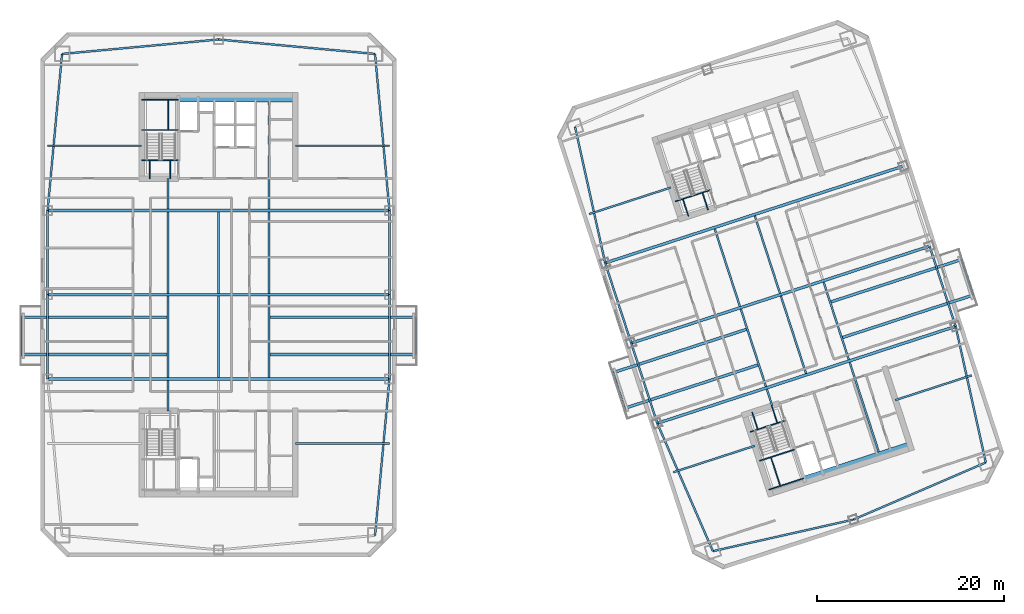
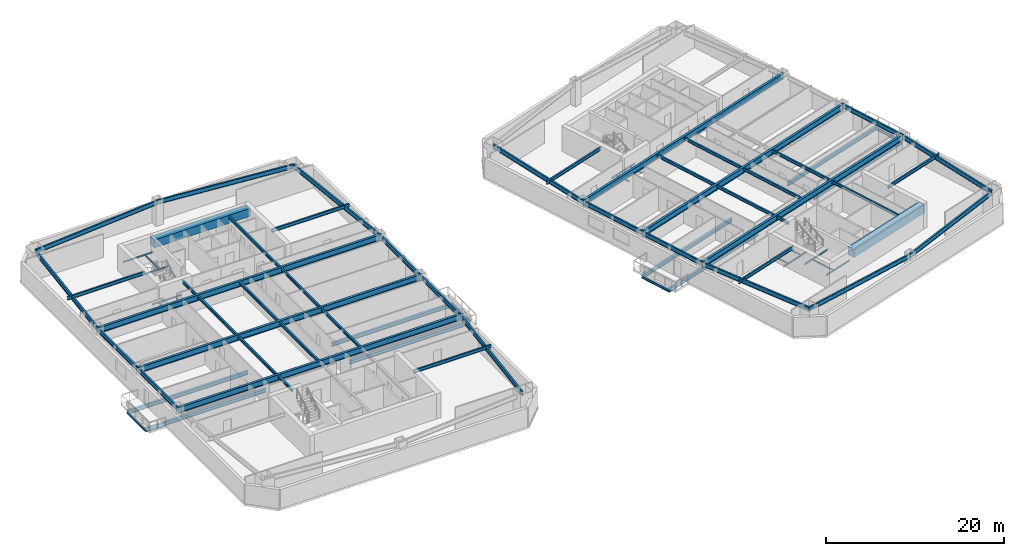
# One storey, part 2 of 14: 74 beams.
"""IFC4 building model written with IfcOpenShell, lengths in metres."""

from ifc_helpers import new_model, si_unit, direction, frame, origin, origin_2d, place, context, subcontext, project, spatial, rectangle, i_section, extrude, material, material_profile, profile_set, type_object, element, save


model = new_model("IFC4")

# Units and contexts
model_context = context("Model", 3, precision=1e-05, world=origin(), true_north=direction((0.0, 1.0)))
body_context = subcontext(model_context, "Body", "Model", "MODEL_VIEW")
ifc_project = project(units=[si_unit("LENGTHUNIT", "METRE"), si_unit("AREAUNIT", "SQUARE_METRE"), si_unit("VOLUMEUNIT", "CUBIC_METRE"), si_unit("PLANEANGLEUNIT", "RADIAN"), si_unit("MASSUNIT", "GRAM", prefix="KILO")], contexts=[model_context])

# Site, building, storey
site_placement = place(None, origin())
site = spatial("IfcSite", under=ifc_project, at=site_placement, CompositionType="ELEMENT")
building_placement = place(site_placement, origin())
building = spatial("IfcBuilding", under=site, at=building_placement, Name="Qiaolan Cultural Towers", CompositionType="ELEMENT")
storey_placement = place(building_placement, frame((0.0, 0.0, 103.5)))
storey = spatial("IfcBuildingStorey", under=building, at=storey_placement, Name="L26", CompositionType="ELEMENT", Elevation=103.5)

# Beams
ifc_material_1 = material(Name="Steel Q355B", Category="steel")
ifc_material_profile_1 = material_profile(ifc_material_1, i_section(OverallWidth=0.300048828125, OverallDepth=0.488037109375, WebThickness=0.010986328125, FlangeThickness=0.01806640625, at=origin_2d()), Name="HM488x300x11x18")
ifc_profile_set_1 = profile_set([ifc_material_profile_1], Name="Steel Q355B")
beam_type_1 = type_object("IfcBeamType", Name="BM-HM488x300x11x18", PredefinedType="BEAM", material=ifc_profile_set_1)
for number, where, z_axis, x_axis, name in (
    (1, (24.60009765625, 27.60009765625, -0.52392578125), (-1.0, 0.0, 0.0), (0.0, -1.0, 0.0), "L26 T1 Tree Balcony Back-Spanned Bracket Beam"),
    (2, (24.60009765625, 31.60009765625, -0.52392578125), (-1.0, 0.0, 0.0), (0.0, -1.0, 0.0), "L26 T1 Tree Balcony Back-Spanned Bracket Beam"),
    (3, (35.39990234375, 27.60009765625, -0.52392578125), (1.0, 0.0, 0.0), (0.0, 1.0, 0.0), "L26 T1 Tree Balcony Back-Spanned Bracket Beam"),
    (4, (35.39990234375, 31.60009765625, -0.52392578125), (1.0, 0.0, 0.0), (0.0, 1.0, 0.0), "L26 T1 Tree Balcony Back-Spanned Bracket Beam"),
):
    element("IfcBeam", number, at=place(storey_placement, frame(where, z_axis=z_axis, x_axis=x_axis)), inside=storey, type_object=beam_type_1, Name=name, PredefinedType="BEAM", context=body_context, shape_type="SweptSolid", body=[
        extrude(i_section(OverallWidth=0.300048828125, OverallDepth=0.488037109375, WebThickness=0.010986328125, FlangeThickness=0.01806640625, at=origin_2d()), origin(), (0.0, 0.0, 1.0), 15.650146484375),
    ])
for number, where, z_axis, x_axis, name in (
    (5, (87.697998046875, 26.522705078125, -0.52392578125), (-0.951058384903, -0.309011243331, 0.0), (0.309011243331, -0.951058384903, 0.0), "L26 T2 Tree Balcony Back-Spanned Bracket Beam"),
    (6, (86.4619140625, 30.326904296875, -0.52392578125), (-0.951058384903, -0.309011243331, 0.0), (0.309011243331, -0.951058384903, 0.0), "L26 T2 Tree Balcony Back-Spanned Bracket Beam"),
):
    element("IfcBeam", number, at=place(storey_placement, frame(where, z_axis=z_axis, x_axis=x_axis)), inside=storey, type_object=beam_type_1, Name=name, PredefinedType="BEAM", context=body_context, shape_type="SweptSolid", body=[
        extrude(i_section(OverallWidth=0.300048828125, OverallDepth=0.488037109375, WebThickness=0.010986328125, FlangeThickness=0.01806640625, at=origin_2d()), origin(), (0.0, 0.0, 1.0), 15.050048828125),
    ])
for number, where, z_axis, x_axis, name in (
    (7, (96.542724609375, 29.396484375, -0.52392578125), (0.951054379921, 0.309023569382, 0.0), (-0.309023569382, 0.951054379921, 0.0), "L26 T2 Tree Balcony Back-Spanned Bracket Beam"),
    (8, (95.306640625, 33.20068359375, -0.52392578125), (0.951054379921, 0.309023569382, 0.0), (-0.309023569382, 0.951054379921, 0.0), "L26 T2 Tree Balcony Back-Spanned Bracket Beam"),
):
    element("IfcBeam", number, at=place(storey_placement, frame(where, z_axis=z_axis, x_axis=x_axis)), inside=storey, type_object=beam_type_1, Name=name, PredefinedType="BEAM", context=body_context, shape_type="SweptSolid", body=[
        extrude(i_section(OverallWidth=0.300048828125, OverallDepth=0.488037109375, WebThickness=0.010986328125, FlangeThickness=0.01806640625, at=origin_2d()), origin(), (0.0, 0.0, 1.0), 14.75),
    ])
ifc_material_2 = material(Name="Steel Q355B", Category="steel")
ifc_material_profile_2 = material_profile(ifc_material_2, i_section(OverallWidth=0.300048828125, OverallDepth=0.800048828125, WebThickness=0.013916015625, FlangeThickness=0.02587890625, at=origin_2d()), Name="HN800x300x14x26")
ifc_profile_set_2 = profile_set([ifc_material_profile_2], Name="Steel Q355B")
beam_type_2 = type_object("IfcBeamType", Name="BM-HN800x300x14x26", PredefinedType="BEAM", material=ifc_profile_set_2)
for number, where, z_axis, x_axis, name in (
    (9, (11.75, 25.0, 2.7900390625), (1.0, 0.0, 0.0), (0.0, 1.0, 0.0), "L26 T1 Primary Transverse Girder V1"),
    (10, (11.75, 34.0, 2.7900390625), (1.0, 0.0, 0.0), (0.0, 1.0, 0.0), "L26 T1 Primary Transverse Girder V2"),
    (11, (11.75, 43.0, 2.7900390625), (1.0, 0.0, 0.0), (0.0, 1.0, 0.0), "L26 T1 Primary Transverse Girder V3"),
):
    element("IfcBeam", number, at=place(storey_placement, frame(where, z_axis=z_axis, x_axis=x_axis)), inside=storey, type_object=beam_type_2, Name=name, PredefinedType="BEAM", context=body_context, shape_type="SweptSolid", body=[
        extrude(i_section(OverallWidth=0.300048828125, OverallDepth=0.800048828125, WebThickness=0.013916015625, FlangeThickness=0.02587890625, at=origin_2d()), origin(), (0.0, 0.0, 1.0), 36.5),
    ])
for number, where, z_axis, x_axis, name in (
    (12, (76.85107421875, 20.264404296875, 2.7900390625), (0.951056559899, 0.309016860175, 0.0), (-0.309016860175, 0.951056559899, 0.0), "L26 T2 Primary Transverse Girder V1"),
    (13, (74.06982421875, 28.823974609375, 2.7900390625), (0.951056559899, 0.309016860175, 0.0), (-0.309016860175, 0.951056559899, 0.0), "L26 T2 Primary Transverse Girder V2"),
    (14, (71.28857421875, 37.383544921875, 2.7900390625), (0.951056559899, 0.309016860175, 0.0), (-0.309016860175, 0.951056559899, 0.0), "L26 T2 Primary Transverse Girder V3"),
):
    element("IfcBeam", number, at=place(storey_placement, frame(where, z_axis=z_axis, x_axis=x_axis)), inside=storey, type_object=beam_type_2, Name=name, PredefinedType="BEAM", context=body_context, shape_type="SweptSolid", body=[
        extrude(i_section(OverallWidth=0.300048828125, OverallDepth=0.800048828125, WebThickness=0.013916015625, FlangeThickness=0.02587890625, at=origin_2d()), origin(), (0.0, 0.0, 1.0), 33.5),
    ])
ifc_material_3 = material(Name="Steel Q355B", Category="steel")
ifc_material_profile_3 = material_profile(ifc_material_3, i_section(OverallWidth=0.175048828125, OverallDepth=0.35009765625, WebThickness=0.007080078125, FlangeThickness=0.010986328125, at=origin_2d()), Name="HN350x175x7x11")
ifc_profile_set_3 = profile_set([ifc_material_profile_3], Name="Steel Q355B")
beam_type_3 = type_object("IfcBeamType", Name="BM-JST-HN350x175x7x11", PredefinedType="JOIST", material=ifc_profile_set_3)
for number, where, z_axis, x_axis, name in (
    (15, (8.949951171875, 27.60009765625, -0.52392578125), (0.0, 1.0, 0.0), (-1.0, 0.0, 0.0), "L26 T1 Tree Balcony Outer Edge Beam"),
    (16, (51.050048828125, 27.60009765625, -0.52392578125), (0.0, 1.0, 0.0), (-1.0, 0.0, 0.0), "L26 T1 Tree Balcony Outer Edge Beam"),
    (17, (73.384521484375, 21.8720703125, -0.52392578125), (-0.309022586479, 0.951054699292, 0.0), (-0.951054699292, -0.309022586479, 0.0), "L26 T2 Tree Balcony Outer Edge Beam"),
    (18, (110.57080078125, 33.95458984375, -0.52392578125), (-0.309022586479, 0.951054699292, 0.0), (-0.951054699292, -0.309022586479, 0.0), "L26 T2 Tree Balcony Outer Edge Beam"),
):
    element("IfcBeam", number, at=place(storey_placement, frame(where, z_axis=z_axis, x_axis=x_axis)), inside=storey, type_object=beam_type_3, Name=name, PredefinedType="JOIST", context=body_context, shape_type="SweptSolid", body=[
        extrude(i_section(OverallWidth=0.175048828125, OverallDepth=0.35009765625, WebThickness=0.007080078125, FlangeThickness=0.010986328125, at=origin_2d()), origin(), (0.0, 0.0, 1.0), 4.0),
    ])
ifc_material_4 = material(Name="Steel Q355B", Category="steel")
ifc_material_profile_4 = material_profile(ifc_material_4, i_section(OverallWidth=0.199951171875, OverallDepth=0.39990234375, WebThickness=0.008056640625, FlangeThickness=0.012939453125, at=origin_2d()), Name="HN400x200x8x13")
ifc_profile_set_4 = profile_set([ifc_material_profile_4], Name="Steel Q355B")
beam_type_4 = type_object("IfcBeamType", Name="BM-JST-HN400x200x8x13", PredefinedType="JOIST", material=ifc_profile_set_4)
beam_1_placement = place(storey_placement, frame((24.60009765625, 21.60009765625, 2.989990234375), z_axis=(0.0, 1.0, 0.0), x_axis=(-1.0, 0.0, 0.0)))
element("IfcBeam", 19, at=beam_1_placement, inside=storey, type_object=beam_type_4, Name="L26 T1 Secondary Floor Joist U1-1", PredefinedType="JOIST", context=body_context, shape_type="SweptSolid", body=[
    extrude(i_section(OverallWidth=0.199951171875, OverallDepth=0.39990234375, WebThickness=0.008056640625, FlangeThickness=0.012939453125, at=origin_2d()), origin(), (0.0, 0.0, 1.0), 3.25),
])
for number, where, z_axis, x_axis, name in (
    (20, (24.60009765625, 25.14990234375, 2.989990234375), (0.0, 1.0, 0.0), (-1.0, 0.0, 0.0), "L26 T1 Secondary Floor Joist U1-2"),
    (21, (24.60009765625, 34.14990234375, 2.989990234375), (0.0, 1.0, 0.0), (-1.0, 0.0, 0.0), "L26 T1 Secondary Floor Joist U1-3"),
):
    element("IfcBeam", number, at=place(storey_placement, frame(where, z_axis=z_axis, x_axis=x_axis)), inside=storey, type_object=beam_type_4, Name=name, PredefinedType="JOIST", context=body_context, shape_type="SweptSolid", body=[
        extrude(i_section(OverallWidth=0.199951171875, OverallDepth=0.39990234375, WebThickness=0.008056640625, FlangeThickness=0.012939453125, at=origin_2d()), origin(), (0.0, 0.0, 1.0), 8.7001953125),
    ])
beam_2_placement = place(storey_placement, frame((24.60009765625, 43.14990234375, 2.989990234375), z_axis=(0.0, 1.0, 0.0), x_axis=(-1.0, 0.0, 0.0)))
element("IfcBeam", 22, at=beam_2_placement, inside=storey, type_object=beam_type_4, Name="L26 T1 Secondary Floor Joist U1-4", PredefinedType="JOIST", context=body_context, shape_type="SweptSolid", body=[
    extrude(i_section(OverallWidth=0.199951171875, OverallDepth=0.39990234375, WebThickness=0.008056640625, FlangeThickness=0.012939453125, at=origin_2d()), origin(), (0.0, 0.0, 1.0), 3.25),
])
for number, where, z_axis, x_axis, name in (
    (23, (30.0, 25.14990234375, 2.989990234375), (0.0, 1.0, 0.0), (-1.0, 0.0, 0.0), "L26 T1 Secondary Floor Joist U2-2"),
    (24, (30.0, 34.14990234375, 2.989990234375), (0.0, 1.0, 0.0), (-1.0, 0.0, 0.0), "L26 T1 Secondary Floor Joist U2-3"),
    (25, (35.39990234375, 25.14990234375, 2.989990234375), (0.0, 1.0, 0.0), (-1.0, 0.0, 0.0), "L26 T1 Secondary Floor Joist U3-2"),
    (26, (35.39990234375, 34.14990234375, 2.989990234375), (0.0, 1.0, 0.0), (-1.0, 0.0, 0.0), "L26 T1 Secondary Floor Joist U3-3"),
):
    element("IfcBeam", number, at=place(storey_placement, frame(where, z_axis=z_axis, x_axis=x_axis)), inside=storey, type_object=beam_type_4, Name=name, PredefinedType="JOIST", context=body_context, shape_type="SweptSolid", body=[
        extrude(i_section(OverallWidth=0.199951171875, OverallDepth=0.39990234375, WebThickness=0.008056640625, FlangeThickness=0.012939453125, at=origin_2d()), origin(), (0.0, 0.0, 1.0), 8.7001953125),
    ])
beam_3_placement = place(storey_placement, frame((35.39990234375, 43.14990234375, 2.989990234375), z_axis=(0.0, 1.0, 0.0), x_axis=(-1.0, 0.0, 0.0)))
element("IfcBeam", 27, at=beam_3_placement, inside=storey, type_object=beam_type_4, Name="L26 T1 Secondary Floor Joist U3-4", PredefinedType="JOIST", context=body_context, shape_type="SweptSolid", body=[
    extrude(i_section(OverallWidth=0.199951171875, OverallDepth=0.39990234375, WebThickness=0.008056640625, FlangeThickness=0.012939453125, at=origin_2d()), origin(), (0.0, 0.0, 1.0), 11.4501953125),
])
beam_4_placement = place(storey_placement, frame((89.119384765625, 22.147705078125, 2.989990234375), z_axis=(-0.308933885266, 0.951083516067, 0.0), x_axis=(-0.951083516067, -0.308933885266, 0.0)))
element("IfcBeam", 28, at=beam_4_placement, inside=storey, type_object=beam_type_4, Name="L26 T2 Secondary Floor Joist U1-1", PredefinedType="JOIST", context=body_context, shape_type="SweptSolid", body=[
    extrude(i_section(OverallWidth=0.199951171875, OverallDepth=0.39990234375, WebThickness=0.008056640625, FlangeThickness=0.012939453125, at=origin_2d()), origin(), (0.0, 0.0, 1.0), 1.85009765625),
])
for number, where, z_axis, x_axis, name in (
    (29, (88.455078125, 24.192626953125, 2.989990234375), (-0.309020714809, 0.951055307445, 0.0), (-0.951055307445, -0.309020714809, 0.0), "L26 T2 Secondary Floor Joist U1-2"),
    (30, (85.673828125, 32.752197265625, 2.989990234375), (-0.309020714809, 0.951055307445, 0.0), (-0.951055307445, -0.309020714809, 0.0), "L26 T2 Secondary Floor Joist U1-3"),
    (31, (92.73486328125, 25.583251953125, 2.989990234375), (-0.309020714809, 0.951055307445, 0.0), (-0.951055307445, -0.309020714809, 0.0), "L26 T2 Secondary Floor Joist U2-2"),
    (32, (89.95361328125, 34.142578125, 2.989990234375), (-0.309020714809, 0.951055307445, 0.0), (-0.951055307445, -0.309020714809, 0.0), "L26 T2 Secondary Floor Joist U2-3"),
):
    element("IfcBeam", number, at=place(storey_placement, frame(where, z_axis=z_axis, x_axis=x_axis)), inside=storey, type_object=beam_type_4, Name=name, PredefinedType="JOIST", context=body_context, shape_type="SweptSolid", body=[
        extrude(i_section(OverallWidth=0.199951171875, OverallDepth=0.39990234375, WebThickness=0.008056640625, FlangeThickness=0.012939453125, at=origin_2d()), origin(), (0.0, 0.0, 1.0), 8.699951171875),
    ])
beam_5_placement = place(storey_placement, frame((100.498291015625, 17.222900390625, 2.989990234375), z_axis=(-0.309025649293, 0.951053704098, 0.0), x_axis=(-0.951053704098, -0.309025649293, 0.0)))
element("IfcBeam", 33, at=beam_5_placement, inside=storey, type_object=beam_type_4, Name="L26 T2 Secondary Floor Joist U3-1", PredefinedType="JOIST", context=body_context, shape_type="SweptSolid", body=[
    extrude(i_section(OverallWidth=0.199951171875, OverallDepth=0.39990234375, WebThickness=0.008056640625, FlangeThickness=0.012939453125, at=origin_2d()), origin(), (0.0, 0.0, 1.0), 10.050048828125),
])
beam_6_placement = place(storey_placement, frame((97.2998046875, 27.06640625, 2.989990234375), z_axis=(-0.309020714809, 0.951055307445, 0.0), x_axis=(-0.951055307445, -0.309020714809, 0.0)))
element("IfcBeam", 34, at=beam_6_placement, inside=storey, type_object=beam_type_4, Name="L26 T2 Secondary Floor Joist U3-2", PredefinedType="JOIST", context=body_context, shape_type="SweptSolid", body=[
    extrude(i_section(OverallWidth=0.199951171875, OverallDepth=0.39990234375, WebThickness=0.008056640625, FlangeThickness=0.012939453125, at=origin_2d()), origin(), (0.0, 0.0, 1.0), 8.699951171875),
])
ifc_material_5 = material(Name="Steel Q355B", Category="steel")
ifc_material_profile_5 = material_profile(ifc_material_5, i_section(OverallWidth=0.199951171875, OverallDepth=0.449951171875, WebThickness=0.009033203125, FlangeThickness=0.013916015625, at=origin_2d()), Name="HN450x200x9x14")
ifc_profile_set_5 = profile_set([ifc_material_profile_5], Name="Steel Q355B")
beam_type_5 = type_object("IfcBeamType", Name="BM-LNT-HN450x200x9x14", PredefinedType="LINTEL", material=ifc_profile_set_5)
for number, where, z_axis, x_axis, name in (
    (35, (21.800048828125, 49.89990234375, 2.965087890625), (-1.0, 0.0, 0.0), (0.0, -1.0, 0.0), "L26 T1 Core Flank Tie Lintel WN"),
    (36, (38.199951171875, 18.10009765625, 2.965087890625), (1.0, 0.0, 0.0), (0.0, 1.0, 0.0), "L26 T1 Core Flank Tie Lintel ES"),
    (37, (38.199951171875, 49.89990234375, 2.965087890625), (1.0, 0.0, 0.0), (0.0, 1.0, 0.0), "L26 T1 Core Flank Tie Lintel EN"),
):
    element("IfcBeam", number, at=place(storey_placement, frame(where, z_axis=z_axis, x_axis=x_axis)), inside=storey, type_object=beam_type_5, Name=name, PredefinedType="LINTEL", context=body_context, shape_type="SweptSolid", body=[
        extrude(i_section(OverallWidth=0.199951171875, OverallDepth=0.449951171875, WebThickness=0.009033203125, FlangeThickness=0.013916015625, at=origin_2d()), origin(), (0.0, 0.0, 1.0), 10.050048828125),
    ])
for number, where, z_axis, x_axis, name in (
    (38, (87.252685546875, 17.861083984375, 2.965087890625), (-0.951059948176, -0.309006431933, 0.0), (0.309006431933, -0.951059948176, 0.0), "L26 T2 Core Flank Tie Lintel WS"),
    (39, (78.291259765625, 45.44189453125, 2.965087890625), (-0.951052106475, -0.309030566076, 0.0), (0.309030566076, -0.951052106475, 0.0), "L26 T2 Core Flank Tie Lintel WN"),
):
    element("IfcBeam", number, at=place(storey_placement, frame(where, z_axis=z_axis, x_axis=x_axis)), inside=storey, type_object=beam_type_5, Name=name, PredefinedType="LINTEL", context=body_context, shape_type="SweptSolid", body=[
        extrude(i_section(OverallWidth=0.199951171875, OverallDepth=0.449951171875, WebThickness=0.009033203125, FlangeThickness=0.013916015625, at=origin_2d()), origin(), (0.0, 0.0, 1.0), 9.14990234375),
    ])
beam_7_placement = place(storey_placement, frame((102.279296875, 22.74365234375, 2.965087890625), z_axis=(0.951057358187, 0.309014403287, 0.0), x_axis=(-0.309014403287, 0.951057358187, 0.0)))
element("IfcBeam", 40, at=beam_7_placement, inside=storey, type_object=beam_type_5, Name="L26 T2 Core Flank Tie Lintel ES", PredefinedType="LINTEL", context=body_context, shape_type="SweptSolid", body=[
    extrude(i_section(OverallWidth=0.199951171875, OverallDepth=0.449951171875, WebThickness=0.009033203125, FlangeThickness=0.013916015625, at=origin_2d()), origin(), (0.0, 0.0, 1.0), 8.550048828125),
])
ifc_material_6 = material(Name="Concrete C50", Category="concrete")
ifc_material_profile_6 = material_profile(ifc_material_6, rectangle(XDim=0.89990234375, YDim=1.10009765625, at=origin_2d()), Name="RC900x1100")
ifc_profile_set_6 = profile_set([ifc_material_profile_6], Name="Concrete C50")
beam_type_6 = type_object("IfcBeamType", Name="BM-RC900x1100", PredefinedType="BEAM", material=ifc_profile_set_6)
beam_8_placement = place(storey_placement, frame((25.719970703125, 55.050048828125, 2.639892578125), z_axis=(1.0, 0.0, 0.0), x_axis=(0.0, 1.0, 0.0)))
element("IfcBeam", 41, at=beam_8_placement, inside=storey, type_object=beam_type_6, Name="L26 T1 Core Header Girder N", PredefinedType="BEAM", context=body_context, shape_type="SweptSolid", body=[
    extrude(rectangle(XDim=0.89990234375, YDim=1.10009765625, at=origin_2d()), origin(), (0.0, 0.0, 1.0), 12.47998046875),
])
beam_9_placement = place(storey_placement, frame((92.572265625, 14.174560546875, 2.639892578125), z_axis=(0.951056266386, 0.309017763514, 0.0), x_axis=(-0.309017763514, 0.951056266386, 0.0)))
element("IfcBeam", 42, at=beam_9_placement, inside=storey, type_object=beam_type_6, Name="L26 T2 Core Header Girder S", PredefinedType="BEAM", context=body_context, shape_type="SweptSolid", body=[
    extrude(rectangle(XDim=0.89990234375, YDim=1.10009765625, at=origin_2d()), origin(), (0.0, 0.0, 1.0), 11.880126953125),
])
ifc_material_7 = material(Name="Steel Q355B", Category="steel")
ifc_material_profile_7 = material_profile(ifc_material_7, i_section(OverallWidth=0.199951171875, OverallDepth=0.60009765625, WebThickness=0.010986328125, FlangeThickness=0.01708984375, at=origin_2d()), Name="HN600x200x11x17")
ifc_profile_set_7 = profile_set([ifc_material_profile_7], Name="Steel Q355B")
beam_type_7 = type_object("IfcBeamType", Name="BM-SPD-HN600x200x11x17", PredefinedType="SPANDREL", material=ifc_profile_set_7)
beam_10_placement = place(storey_placement, frame((46.7099609375, 8.2900390625, 2.889892578125), z_axis=(0.09177399582, 0.995779862064, 0.0), x_axis=(-0.995779862064, 0.09177399582, 0.0)))
element("IfcBeam", 43, at=beam_10_placement, inside=storey, type_object=beam_type_7, Name="L26 T1 Perimeter Spandrel Beam 3", PredefinedType="SPANDREL", context=body_context, shape_type="SweptSolid", body=[
    extrude(i_section(OverallWidth=0.199951171875, OverallDepth=0.60009765625, WebThickness=0.010986328125, FlangeThickness=0.01708984375, at=origin_2d()), origin(), (0.0, 0.0, 1.0), 16.78076171875),
])
for number, where, z_axis, x_axis, name in (
    (44, (48.25, 25.0, 2.889892578125), (0.0, 1.0, 0.0), (-1.0, 0.0, 0.0), "L26 T1 Perimeter Spandrel Beam 4"),
    (45, (48.25, 34.0, 2.889892578125), (0.0, 1.0, 0.0), (-1.0, 0.0, 0.0), "L26 T1 Perimeter Spandrel Beam 5"),
):
    element("IfcBeam", number, at=place(storey_placement, frame(where, z_axis=z_axis, x_axis=x_axis)), inside=storey, type_object=beam_type_7, Name=name, PredefinedType="SPANDREL", context=body_context, shape_type="SweptSolid", body=[
        extrude(i_section(OverallWidth=0.199951171875, OverallDepth=0.60009765625, WebThickness=0.010986328125, FlangeThickness=0.01708984375, at=origin_2d()), origin(), (0.0, 0.0, 1.0), 9.0),
    ])
for number, where, z_axis, x_axis, name in (
    (46, (48.25, 43.0, 2.889892578125), (-0.09177399582, 0.995779862064, 0.0), (-0.995779862064, -0.09177399582, 0.0), "L26 T1 Perimeter Spandrel Beam 6"),
    (47, (46.7099609375, 59.7099609375, 2.889892578125), (-0.995779862064, 0.09177399582, 0.0), (-0.09177399582, -0.995779862064, 0.0), "L26 T1 Perimeter Spandrel Beam 7"),
    (48, (30.0, 61.25, 2.889892578125), (-0.995779862064, -0.09177399582, 0.0), (0.09177399582, -0.995779862064, 0.0), "L26 T1 Perimeter Spandrel Beam 8"),
    (49, (13.2900390625, 59.7099609375, 2.889892578125), (-0.09177399582, -0.995779862064, 0.0), (0.995779862064, -0.09177399582, 0.0), "L26 T1 Perimeter Spandrel Beam 9"),
):
    element("IfcBeam", number, at=place(storey_placement, frame(where, z_axis=z_axis, x_axis=x_axis)), inside=storey, type_object=beam_type_7, Name=name, PredefinedType="SPANDREL", context=body_context, shape_type="SweptSolid", body=[
        extrude(i_section(OverallWidth=0.199951171875, OverallDepth=0.60009765625, WebThickness=0.010986328125, FlangeThickness=0.01708984375, at=origin_2d()), origin(), (0.0, 0.0, 1.0), 16.78076171875),
    ])
for number, where, z_axis, x_axis, name in (
    (50, (11.75, 43.0, 2.889892578125), (0.0, -1.0, 0.0), (1.0, 0.0, 0.0), "L26 T1 Perimeter Spandrel Beam 10"),
    (51, (11.75, 34.0, 2.889892578125), (0.0, -1.0, 0.0), (1.0, 0.0, 0.0), "L26 T1 Perimeter Spandrel Beam 11"),
):
    element("IfcBeam", number, at=place(storey_placement, frame(where, z_axis=z_axis, x_axis=x_axis)), inside=storey, type_object=beam_type_7, Name=name, PredefinedType="SPANDREL", context=body_context, shape_type="SweptSolid", body=[
        extrude(i_section(OverallWidth=0.199951171875, OverallDepth=0.60009765625, WebThickness=0.010986328125, FlangeThickness=0.01708984375, at=origin_2d()), origin(), (0.0, 0.0, 1.0), 9.0),
    ])
beam_11_placement = place(storey_placement, frame((82.79052734375, 6.611572265625, 2.889892578125), z_axis=(0.975658154374, 0.219296980836, 0.0), x_axis=(-0.219296980836, 0.975658154374, 0.0)))
element("IfcBeam", 52, at=beam_11_placement, inside=storey, type_object=beam_type_7, Name="L26 T2 Perimeter Spandrel Beam 1", PredefinedType="SPANDREL", context=body_context, shape_type="SweptSolid", body=[
    extrude(i_section(OverallWidth=0.199951171875, OverallDepth=0.60009765625, WebThickness=0.010986328125, FlangeThickness=0.01708984375, at=origin_2d()), origin(), (0.0, 0.0, 1.0), 15.38671875),
])
beam_12_placement = place(storey_placement, frame((97.802734375, 9.98583984375, 2.889892578125), z_axis=(0.918217549337, 0.396076422032, 0.0), x_axis=(-0.396076422032, 0.918217549337, 0.0)))
element("IfcBeam", 53, at=beam_12_placement, inside=storey, type_object=beam_type_7, Name="L26 T2 Perimeter Spandrel Beam 2", PredefinedType="SPANDREL", context=body_context, shape_type="SweptSolid", body=[
    extrude(i_section(OverallWidth=0.199951171875, OverallDepth=0.60009765625, WebThickness=0.010986328125, FlangeThickness=0.01708984375, at=origin_2d()), origin(), (0.0, 0.0, 1.0), 15.386474609375),
])
beam_13_placement = place(storey_placement, frame((111.930908203125, 16.080078125, 2.889892578125), z_axis=(-0.216237644833, 0.976340760676, 0.0), x_axis=(-0.976340760676, -0.216237644833, 0.0)))
element("IfcBeam", 54, at=beam_13_placement, inside=storey, type_object=beam_type_7, Name="L26 T2 Perimeter Spandrel Beam 3", PredefinedType="SPANDREL", context=body_context, shape_type="SweptSolid", body=[
    extrude(i_section(OverallWidth=0.199951171875, OverallDepth=0.60009765625, WebThickness=0.010986328125, FlangeThickness=0.01708984375, at=origin_2d()), origin(), (0.0, 0.0, 1.0), 14.888671875),
])
beam_14_placement = place(storey_placement, frame((108.71142578125, 30.616455078125, 2.889892578125), z_axis=(-0.309024734286, 0.951054001411, 0.0), x_axis=(-0.951054001411, -0.309024734286, 0.0)))
element("IfcBeam", 55, at=beam_14_placement, inside=storey, type_object=beam_type_7, Name="L26 T2 Perimeter Spandrel Beam 4", PredefinedType="SPANDREL", context=body_context, shape_type="SweptSolid", body=[
    extrude(i_section(OverallWidth=0.199951171875, OverallDepth=0.60009765625, WebThickness=0.010986328125, FlangeThickness=0.01708984375, at=origin_2d()), origin(), (0.0, 0.0, 1.0), 9.0),
])
beam_15_placement = place(storey_placement, frame((68.069091796875, 51.919921875, 2.889892578125), z_axis=(0.216237644833, -0.976340760676, 0.0), x_axis=(0.976340760676, 0.216237644833, 0.0)))
element("IfcBeam", 56, at=beam_15_placement, inside=storey, type_object=beam_type_7, Name="L26 T2 Perimeter Spandrel Beam 9", PredefinedType="SPANDREL", context=body_context, shape_type="SweptSolid", body=[
    extrude(i_section(OverallWidth=0.199951171875, OverallDepth=0.60009765625, WebThickness=0.010986328125, FlangeThickness=0.01708984375, at=origin_2d()), origin(), (0.0, 0.0, 1.0), 14.888671875),
])
for number, where, z_axis, x_axis, name in (
    (57, (71.28857421875, 37.383544921875, 2.889892578125), (0.309024734286, -0.951054001411, 0.0), (0.951054001411, 0.309024734286, 0.0), "L26 T2 Perimeter Spandrel Beam 10"),
    (58, (74.06982421875, 28.823974609375, 2.889892578125), (0.309024734286, -0.951054001411, 0.0), (0.951054001411, 0.309024734286, 0.0), "L26 T2 Perimeter Spandrel Beam 11"),
):
    element("IfcBeam", number, at=place(storey_placement, frame(where, z_axis=z_axis, x_axis=x_axis)), inside=storey, type_object=beam_type_7, Name=name, PredefinedType="SPANDREL", context=body_context, shape_type="SweptSolid", body=[
        extrude(i_section(OverallWidth=0.199951171875, OverallDepth=0.60009765625, WebThickness=0.010986328125, FlangeThickness=0.01708984375, at=origin_2d()), origin(), (0.0, 0.0, 1.0), 9.0),
    ])
beam_16_placement = place(storey_placement, frame((76.85107421875, 20.264404296875, 2.889892578125), z_axis=(0.398920370799, -0.916985571185, 0.0), x_axis=(0.916985571185, 0.398920370799, 0.0)))
element("IfcBeam", 59, at=beam_16_placement, inside=storey, type_object=beam_type_7, Name="L26 T2 Perimeter Spandrel Beam 12", PredefinedType="SPANDREL", context=body_context, shape_type="SweptSolid", body=[
    extrude(i_section(OverallWidth=0.199951171875, OverallDepth=0.60009765625, WebThickness=0.010986328125, FlangeThickness=0.01708984375, at=origin_2d()), origin(), (0.0, 0.0, 1.0), 14.888916015625),
])
ifc_material_8 = material(Name="Steel Q355B", Category="steel")
ifc_material_profile_8 = material_profile(ifc_material_8, i_section(OverallWidth=0.10009765625, OverallDepth=0.199951171875, WebThickness=0.005615234375, FlangeThickness=0.008056640625, at=origin_2d()), Name="HN200x100x5.5x8")
ifc_profile_set_8 = profile_set([ifc_material_profile_8], Name="Steel Q355B")
beam_type_8 = type_object("IfcBeamType", Name="BM-STTRIM-200", PredefinedType="BEAM", material=ifc_profile_set_8)
beam_17_placement = place(storey_placement, frame((21.800048828125, 48.340087890625, -0.4599609375), z_axis=(1.0, 0.0, 0.0), x_axis=(0.0, 1.0, 0.0)))
element("IfcBeam", 60, at=beam_17_placement, inside=storey, type_object=beam_type_8, Name="L26 ST-W2 Floor Landing Header Beam", PredefinedType="BEAM", context=body_context, shape_type="SweptSolid", body=[
    extrude(i_section(OverallWidth=0.10009765625, OverallDepth=0.199951171875, WebThickness=0.005615234375, FlangeThickness=0.008056640625, at=origin_2d()), origin(), (0.0, 0.0, 1.0), 3.919921875),
])
for number, where, z_axis, x_axis, name in (
    (61, (22.64990234375, 46.39990234375, -0.4599609375), (0.0, 1.0, 0.0), (-1.0, 0.0, 0.0), "L26 ST-W2 Floor Landing Stringer 1"),
    (62, (24.85009765625, 46.39990234375, -0.4599609375), (0.0, 1.0, 0.0), (-1.0, 0.0, 0.0), "L26 ST-W2 Floor Landing Stringer 2"),
):
    element("IfcBeam", number, at=place(storey_placement, frame(where, z_axis=z_axis, x_axis=x_axis)), inside=storey, type_object=beam_type_8, Name=name, PredefinedType="BEAM", context=body_context, shape_type="SweptSolid", body=[
        extrude(i_section(OverallWidth=0.10009765625, OverallDepth=0.199951171875, WebThickness=0.005615234375, FlangeThickness=0.008056640625, at=origin_2d()), origin(), (0.0, 0.0, 1.0), 1.940185546875),
    ])
for number, where, z_axis, x_axis, name in (
    (63, (21.800048828125, 51.588623046875, 1.425048828125), (1.0, 0.0, 0.0), (0.0, 1.0, 0.0), "L26 ST-W2 Stair Landing Support Beam 1-1"),
    (64, (21.800048828125, 54.820068359375, 1.425048828125), (1.0, 0.0, 0.0), (0.0, 1.0, 0.0), "L26 ST-W2 Stair Landing Support Beam 1-2"),
):
    element("IfcBeam", number, at=place(storey_placement, frame(where, z_axis=z_axis, x_axis=x_axis)), inside=storey, type_object=beam_type_8, Name=name, PredefinedType="BEAM", context=body_context, shape_type="SweptSolid", body=[
        extrude(i_section(OverallWidth=0.10009765625, OverallDepth=0.199951171875, WebThickness=0.005615234375, FlangeThickness=0.008056640625, at=origin_2d()), origin(), (0.0, 0.0, 1.0), 3.919921875),
    ])
beam_18_placement = place(storey_placement, frame((24.610107421875, 51.588623046875, 1.425048828125), z_axis=(0.0, 1.0, 0.0), x_axis=(-1.0, 0.0, 0.0)))
element("IfcBeam", 65, at=beam_18_placement, inside=storey, type_object=beam_type_8, Name="L26 ST-W2 Stair Landing Trimmer 1", PredefinedType="BEAM", context=body_context, shape_type="SweptSolid", body=[
    extrude(i_section(OverallWidth=0.10009765625, OverallDepth=0.199951171875, WebThickness=0.005615234375, FlangeThickness=0.008056640625, at=origin_2d()), origin(), (0.0, 0.0, 1.0), 3.2314453125),
])
beam_19_placement = place(storey_placement, frame((86.770751953125, 19.3447265625, -0.4599609375), z_axis=(0.951047798727, 0.309043823005, 0.0), x_axis=(-0.309043823005, 0.951047798727, 0.0)))
element("IfcBeam", 66, at=beam_19_placement, inside=storey, type_object=beam_type_8, Name="L26 ST-E1 Floor Landing Header Beam", PredefinedType="BEAM", context=body_context, shape_type="SweptSolid", body=[
    extrude(i_section(OverallWidth=0.10009765625, OverallDepth=0.199951171875, WebThickness=0.005615234375, FlangeThickness=0.008056640625, at=origin_2d()), origin(), (0.0, 0.0, 1.0), 3.919921875),
])
for number, where, z_axis, x_axis, name in (
    (67, (86.9794921875, 21.452392578125, -0.4599609375), (0.309083226701, -0.951034993558, 0.0), (0.951034993558, 0.309083226701, 0.0), "L26 ST-E1 Floor Landing Stringer 1"),
    (68, (89.07177734375, 22.13232421875, -0.4599609375), (0.309083226701, -0.951034993558, 0.0), (0.951034993558, 0.309083226701, 0.0), "L26 ST-E1 Floor Landing Stringer 2"),
):
    element("IfcBeam", number, at=place(storey_placement, frame(where, z_axis=z_axis, x_axis=x_axis)), inside=storey, type_object=beam_type_8, Name=name, PredefinedType="BEAM", context=body_context, shape_type="SweptSolid", body=[
        extrude(i_section(OverallWidth=0.10009765625, OverallDepth=0.199951171875, WebThickness=0.005615234375, FlangeThickness=0.008056640625, at=origin_2d()), origin(), (0.0, 0.0, 1.0), 1.93994140625),
    ])
for number, where, z_axis, x_axis, name in (
    (69, (87.774658203125, 16.255126953125, 1.425048828125), (0.951047798727, 0.309043823005, 0.0), (-0.309043823005, 0.951047798727, 0.0), "L26 ST-E1 Stair Landing Support Beam 1-1"),
    (70, (88.773193359375, 13.181884765625, 1.425048828125), (0.951047798727, 0.309043823005, 0.0), (-0.309043823005, 0.951047798727, 0.0), "L26 ST-E1 Stair Landing Support Beam 1-2"),
):
    element("IfcBeam", number, at=place(storey_placement, frame(where, z_axis=z_axis, x_axis=x_axis)), inside=storey, type_object=beam_type_8, Name=name, PredefinedType="BEAM", context=body_context, shape_type="SweptSolid", body=[
        extrude(i_section(OverallWidth=0.10009765625, OverallDepth=0.199951171875, WebThickness=0.005615234375, FlangeThickness=0.008056640625, at=origin_2d()), origin(), (0.0, 0.0, 1.0), 3.919921875),
    ])
beam_20_placement = place(storey_placement, frame((88.982421875, 16.6474609375, 1.425048828125), z_axis=(0.309033108495, -0.951051280349, 0.0), x_axis=(0.951051280349, 0.309033108495, 0.0)))
element("IfcBeam", 71, at=beam_20_placement, inside=storey, type_object=beam_type_8, Name="L26 ST-E1 Stair Landing Trimmer 1", PredefinedType="BEAM", context=body_context, shape_type="SweptSolid", body=[
    extrude(i_section(OverallWidth=0.10009765625, OverallDepth=0.199951171875, WebThickness=0.005615234375, FlangeThickness=0.008056640625, at=origin_2d()), origin(), (0.0, 0.0, 1.0), 3.231201171875),
])
beam_21_placement = place(storey_placement, frame((78.773193359375, 43.958251953125, -0.4599609375), z_axis=(0.951072048947, 0.3089691857, 0.0), x_axis=(-0.3089691857, 0.951072048947, 0.0)))
element("IfcBeam", 72, at=beam_21_placement, inside=storey, type_object=beam_type_8, Name="L26 ST-E2 Floor Landing Header Beam", PredefinedType="BEAM", context=body_context, shape_type="SweptSolid", body=[
    extrude(i_section(OverallWidth=0.10009765625, OverallDepth=0.199951171875, WebThickness=0.005615234375, FlangeThickness=0.008056640625, at=origin_2d()), origin(), (0.0, 0.0, 1.0), 3.920166015625),
])
for number, where, z_axis, x_axis, name in (
    (73, (80.18115234375, 42.375732421875, -0.4599609375), (-0.308969394428, 0.951071981138, 0.0), (-0.951071981138, -0.308969394428, 0.0), "L26 ST-E2 Floor Landing Stringer 1"),
    (74, (82.2734375, 43.0556640625, -0.4599609375), (-0.308969394428, 0.951071981138, 0.0), (-0.951071981138, -0.308969394428, 0.0), "L26 ST-E2 Floor Landing Stringer 2"),
):
    element("IfcBeam", number, at=place(storey_placement, frame(where, z_axis=z_axis, x_axis=x_axis)), inside=storey, type_object=beam_type_8, Name=name, PredefinedType="BEAM", context=body_context, shape_type="SweptSolid", body=[
        extrude(i_section(OverallWidth=0.10009765625, OverallDepth=0.199951171875, WebThickness=0.005615234375, FlangeThickness=0.008056640625, at=origin_2d()), origin(), (0.0, 0.0, 1.0), 1.93994140625),
    ])

save(model, "model.ifc")
